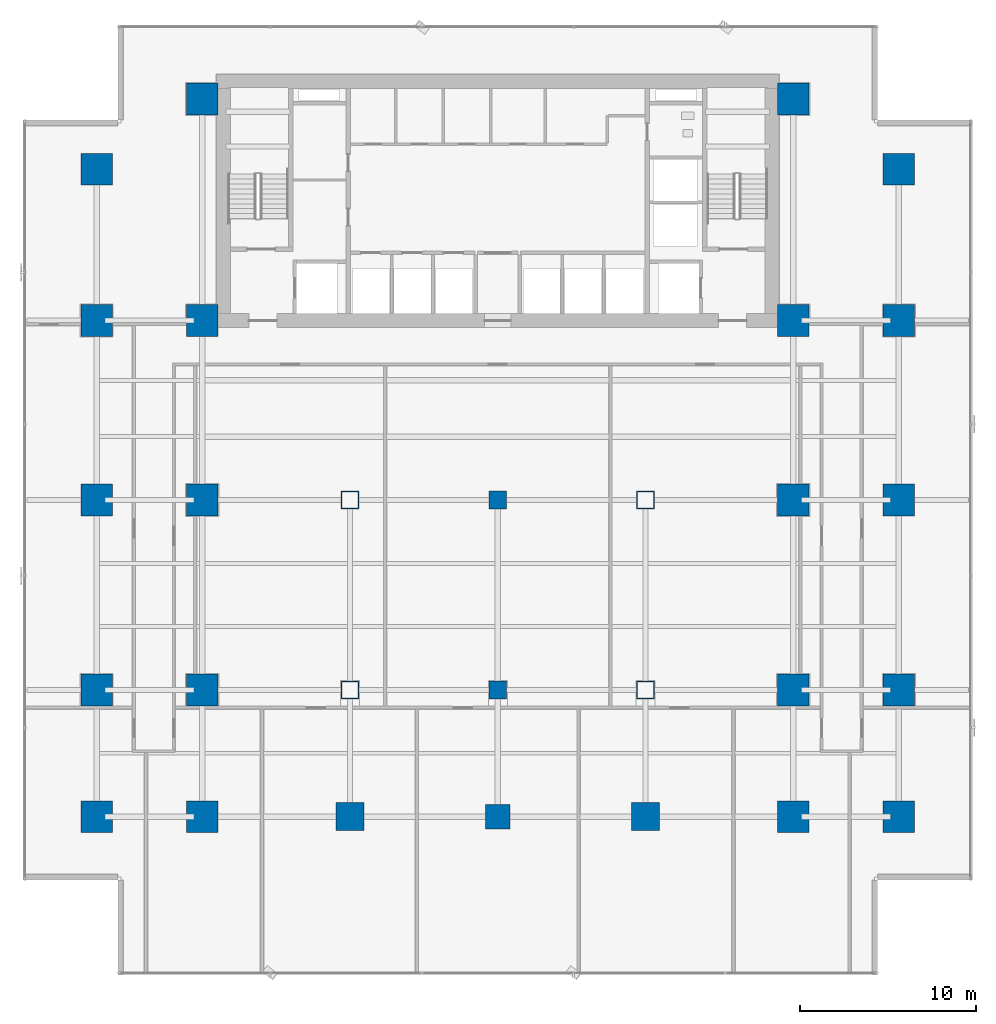
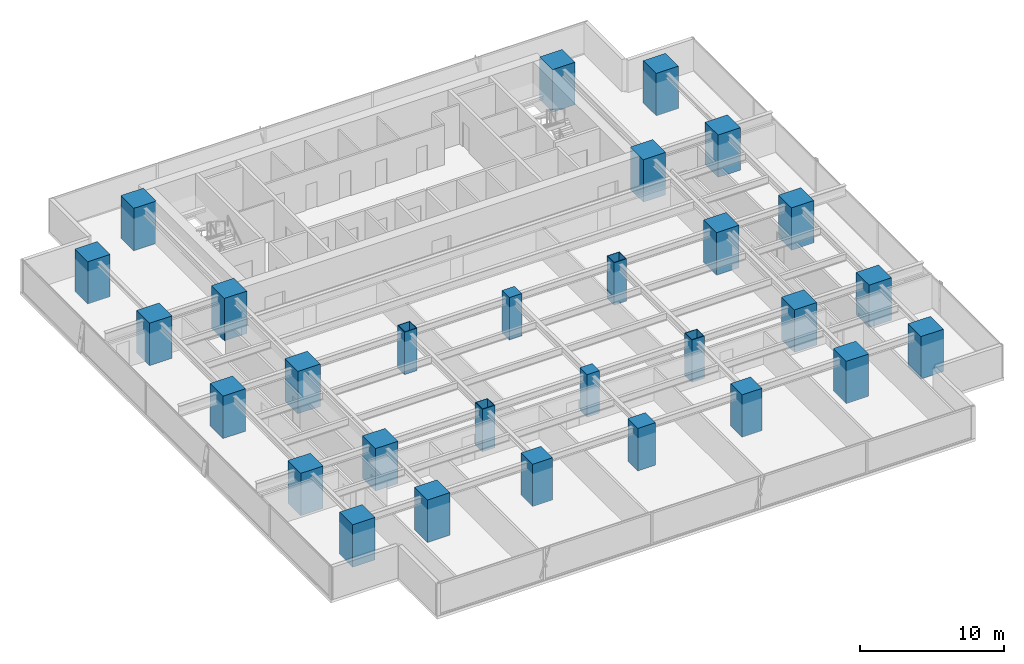
# One storey, part 1 of 33: 29 columns.
"""IFC4 building model written with IfcOpenShell, lengths in metres."""

import ifcopenshell
import ifcopenshell.guid

model = None  # the IFC model being written
_history = None  # IfcOwnerHistory: only IFC2X3 demands one
_inside = {}  # id of a spatial element -> (the spatial element, [elements in it])
_under = {}  # id of a project, library or spatial element -> (it, [spatial elements below it])
_declared = {}  # id of a project -> (the project, [libraries it declares])
_typed = {}  # id of a type object -> (the type object, [elements of that type])
_made_of = {}  # id of a material, layer set ... -> (it, [elements and type objects made of it])


def new_model(schema):
    """Start an empty IFC model of exactly this schema.

    Asked for "IFC4X3", IfcOpenShell would pick the latest addendum, in which some entities
    have other attributes; the version numbers below select the first issue.
    IFC2X3 requires an IfcOwnerHistory on every rooted entity: one is made here for all.
    """
    global model, _history
    if schema == "IFC4X3":
        model = ifcopenshell.file(schema_version=(4, 3, 0, 0))
    else:
        model = ifcopenshell.file(schema=schema)
    _inside.clear()
    _under.clear()
    _declared.clear()
    _typed.clear()
    _made_of.clear()
    _history = None
    if model.schema == "IFC2X3":
        org = make("IfcOrganization", Name="unknown")
        user = make(
            "IfcPersonAndOrganization",
            ThePerson=make("IfcPerson", FamilyName="unknown"),
            TheOrganization=org,
        )
        app = make(
            "IfcApplication",
            ApplicationDeveloper=org,
            Version="unknown",
            ApplicationFullName="unknown",
            ApplicationIdentifier="unknown",
        )
        _history = make(
            "IfcOwnerHistory",
            OwningUser=user,
            OwningApplication=app,
            ChangeAction="ADDED",
            CreationDate=0,
        )
    return model


def make(cls, **values):
    """One entity of the class cls with the attributes given. An attribute that is None is left unset."""
    return model.create_entity(
        cls, **{name: value for name, value in values.items() if value is not None}
    )


def rooted(cls, **values):
    """An entity with a GlobalId (a new one), such as an element, a storey or a relation."""
    return make(cls, GlobalId=ifcopenshell.guid.new(), OwnerHistory=_history, **values)


def si_unit(unit_type, name, prefix=None):
    """IfcSIUnit, for example si_unit("LENGTHUNIT", "METRE", prefix="MILLI")."""
    return make("IfcSIUnit", UnitType=unit_type, Prefix=prefix, Name=name)


def assignment(units):
    """IfcUnitAssignment: the units of a project."""
    return None if units is None else make("IfcUnitAssignment", Units=units)


def point(xyz):
    """IfcCartesianPoint."""
    return None if xyz is None else make("IfcCartesianPoint", Coordinates=xyz)


def direction(xyz):
    """IfcDirection."""
    return None if xyz is None else make("IfcDirection", DirectionRatios=xyz)


def frame(location, z_axis=None, x_axis=None):
    """IfcAxis2Placement3D, a coordinate frame: its origin and axes. An axis left out is left unset."""
    return make(
        "IfcAxis2Placement3D",
        Location=point(location),
        Axis=direction(z_axis),
        RefDirection=direction(x_axis),
    )


def frame_2d(location, x_axis=None):
    """IfcAxis2Placement2D, a coordinate frame in the plane: its origin and x axis."""
    return make(
        "IfcAxis2Placement2D", Location=point(location), RefDirection=direction(x_axis)
    )


def origin():
    """The frame at (0, 0, 0) with its axes left unset."""
    return frame((0.0, 0.0, 0.0))


def origin_2d():
    """The frame at (0, 0) in the plane with its x axis left unset."""
    return frame_2d((0.0, 0.0))


def place(relative_to, where):
    """IfcLocalPlacement: puts the frame where relative to a parent placement (None: the world)."""
    return make(
        "IfcLocalPlacement", PlacementRelTo=relative_to, RelativePlacement=where
    )


def context(
    kind, dimensions, precision=None, world=None, true_north=None, identifier=None
):
    """IfcGeometricRepresentationContext, for example the 3D "Model" context."""
    return make(
        "IfcGeometricRepresentationContext",
        ContextIdentifier=identifier,
        ContextType=kind,
        CoordinateSpaceDimension=dimensions,
        Precision=precision,
        WorldCoordinateSystem=world,
        TrueNorth=true_north,
    )


def subcontext(parent, identifier, kind, view, scale=None):
    """IfcGeometricRepresentationSubContext, for example "Body" below "Model"."""
    return make(
        "IfcGeometricRepresentationSubContext",
        ContextIdentifier=identifier,
        ContextType=kind,
        ParentContext=parent,
        TargetScale=scale,
        TargetView=view,
    )


def project(units=None, contexts=None):
    """IfcProject with its units and contexts."""
    return rooted(
        "IfcProject",
        Name="project",
        RepresentationContexts=contexts,
        UnitsInContext=assignment(units),
    )


def spatial(cls, under=None, at=None, **own):
    """A site, building, storey or space (cls), placed at a placement, below another one or the project."""
    s = rooted(cls, ObjectPlacement=at, **own)
    if under is not None:
        _under.setdefault(under.id(), (under, []))[1].append(s)
    return s


def profile(cls, at=None, kind="AREA", **sizes):
    """A parametric profile (cls). Its sizes go by their IFC names, for example OverallWidth=200.0."""
    return make(cls, ProfileType=kind, Position=at, **sizes)


def rectangle(**sizes):
    """IfcRectangleProfileDef."""
    return profile("IfcRectangleProfileDef", **sizes)


def hollow_rectangle(**sizes):
    """IfcRectangleHollowProfileDef."""
    return profile("IfcRectangleHollowProfileDef", **sizes)


def extrude(swept, where, along, depth):
    """IfcExtrudedAreaSolid: the profile swept, set in the frame where, extruded along a direction by depth."""
    return make(
        "IfcExtrudedAreaSolid",
        SweptArea=swept,
        Position=where,
        ExtrudedDirection=direction(along),
        Depth=depth,
    )


def shape(context_of_items, identifier, shape_type, items):
    """IfcShapeRepresentation: the items that make up one representation, for example the "Body"."""
    return make(
        "IfcShapeRepresentation",
        ContextOfItems=context_of_items,
        RepresentationIdentifier=identifier,
        RepresentationType=shape_type,
        Items=items,
    )


def source(mapping_origin, context_of_items, identifier, shape_type, items):
    """IfcRepresentationMap: a shape defined once, which mapped items show again and again."""
    return make(
        "IfcRepresentationMap",
        MappingOrigin=mapping_origin,
        MappedRepresentation=shape(context_of_items, identifier, shape_type, items),
    )


def transform(
    local_origin,
    x_axis=None,
    y_axis=None,
    z_axis=None,
    scale=None,
    scale2=None,
    scale3=None,
    uniform=True,
):
    """IfcCartesianTransformationOperator3D, or its non-uniform kind. x_axis, y_axis, z_axis: its Axis1, 2, 3."""
    if uniform:
        return make(
            "IfcCartesianTransformationOperator3D",
            Axis1=direction(x_axis),
            Axis2=direction(y_axis),
            LocalOrigin=point(local_origin),
            Scale=scale,
            Axis3=direction(z_axis),
        )
    return make(
        "IfcCartesianTransformationOperator3DnonUniform",
        Axis1=direction(x_axis),
        Axis2=direction(y_axis),
        LocalOrigin=point(local_origin),
        Scale=scale,
        Axis3=direction(z_axis),
        Scale2=scale2,
        Scale3=scale3,
    )


def mapped(mapping_source, mapping_target):
    """IfcMappedItem: shows the shape of a source again, moved by a transform."""
    return make(
        "IfcMappedItem", MappingSource=mapping_source, MappingTarget=mapping_target
    )


def material(Name=None, Category=None):
    """IfcMaterial."""
    return make("IfcMaterial", Name=Name, Category=Category)


def material_profile(
    of_material, cross_section, Name=None, Category=None, Priority=None
):
    """IfcMaterialProfile: a cross section and its material."""
    return make(
        "IfcMaterialProfile",
        Name=Name,
        Material=of_material,
        Profile=cross_section,
        Priority=Priority,
        Category=Category,
    )


def profile_set(profiles, Name=None, composite=None):
    """IfcMaterialProfileSet."""
    return make(
        "IfcMaterialProfileSet",
        Name=Name,
        MaterialProfiles=profiles,
        CompositeProfile=composite,
    )


def made_of(thing, what):
    """Note that an element or type object is made of a material, layer set ...; save() writes the relation."""
    if what is not None:
        _made_of.setdefault(what.id(), (what, []))[1].append(thing)
    return thing


def type_object(cls, material=None, **own):
    """A type object (cls), such as IfcWallType, which elements share."""
    return made_of(rooted(cls, **own), material)


def element(
    cls,
    number,
    at=None,
    inside=None,
    cuts=None,
    type_object=None,
    material=None,
    context=None,
    identifier="Body",
    shape_type=None,
    held_by="IfcProductDefinitionShape",
    body=None,
    shapes=None,
    **own,
):
    """One element of the class cls, such as IfcWall. Its Tag is "e" and its number.

    at: its placement. inside: the storey or other place that contains it. cuts: it is an
    opening in that element (IfcRelVoidsElement). A single representation is given by context,
    identifier, shape_type and body (its items); several are given by shapes. held_by: the class
    of the entity that holds the representations. save() writes the other relations.
    """
    e = rooted(cls, Tag="e%d" % number, ObjectPlacement=at, **own)
    if body is not None:
        shapes = [shape(context, identifier, shape_type, body)]
    if shapes is not None:
        e.Representation = make(held_by, Representations=shapes)
    if inside is not None:
        _inside.setdefault(inside.id(), (inside, []))[1].append(e)
    if cuts is not None:
        rooted(
            "IfcRelVoidsElement", RelatingBuildingElement=cuts, RelatedOpeningElement=e
        )
    if type_object is not None:
        _typed.setdefault(type_object.id(), (type_object, []))[1].append(e)
    return made_of(e, material)


def aggregate(whole, parts):
    """IfcRelAggregates: a whole, such as a stair, and the parts it consists of."""
    return rooted("IfcRelAggregates", RelatingObject=whole, RelatedObjects=parts)


def save(model, path):
    """Write the relations noted so far, then the file.

    IfcRelAggregates (storeys below a building ...), IfcRelContainedInSpatialStructure (elements
    in a storey), IfcRelDefinesByType, IfcRelAssociatesMaterial and IfcRelDeclares: one each for
    every whole, place, type object, material and project.
    """
    for whole, parts in _under.values():
        aggregate(whole, parts)
    for where, things in _inside.values():
        rooted(
            "IfcRelContainedInSpatialStructure",
            RelatedElements=things,
            RelatingStructure=where,
        )
    for kind, things in _typed.values():
        rooted("IfcRelDefinesByType", RelatedObjects=things, RelatingType=kind)
    for what, things in _made_of.values():
        rooted("IfcRelAssociatesMaterial", RelatedObjects=things, RelatingMaterial=what)
    for by, libraries in _declared.values():
        rooted("IfcRelDeclares", RelatingContext=by, RelatedDefinitions=libraries)
    model.write(path)


model = new_model("IFC4")

# Units and contexts
model_context = context("Model", 3, precision=1e-05, world=origin(), true_north=direction((0.0, 1.0)))
body_context = subcontext(model_context, "Body", "Model", "MODEL_VIEW")
ifc_project = project(units=[si_unit("LENGTHUNIT", "METRE"), si_unit("AREAUNIT", "SQUARE_METRE"), si_unit("VOLUMEUNIT", "CUBIC_METRE"), si_unit("PLANEANGLEUNIT", "RADIAN"), si_unit("MASSUNIT", "GRAM", prefix="KILO")], contexts=[model_context])

# Site, building, storey
site_placement = place(None, origin())
site = spatial("IfcSite", under=ifc_project, at=site_placement, CompositionType="ELEMENT")
building_placement = place(site_placement, origin())
building = spatial("IfcBuilding", under=site, at=building_placement, Name="Sumidabori Civic Tower", CompositionType="ELEMENT")
storey_placement = place(building_placement, frame((0.0, 0.0, 59.60009765625)))
storey = spatial("IfcBuildingStorey", under=building, at=storey_placement, Name="L15", CompositionType="ELEMENT", Elevation=59.60009765625)

# Columns
ifc_material_1 = material(Name="Concrete C60/75", Category="concrete")
ifc_material_profile_1 = material_profile(ifc_material_1, rectangle(XDim=1.800048828125, YDim=1.800048828125, at=origin_2d()), Name="RC 1800x1800")
ifc_profile_set_1 = profile_set([ifc_material_profile_1], Name="Concrete C60/75")
column_type_1 = type_object("IfcColumnType", Name="CL-MEGA-1800", PredefinedType="COLUMN", material=ifc_profile_set_1)
shared_shape_1 = source(origin(), body_context, "Body", "SweptSolid", [
    extrude(rectangle(XDim=1.800048828125, YDim=1.800048828125, at=origin_2d()), origin(), (0.0, 0.0, 1.0), 3.599853515625),
])
for number, where, z_axis, x_axis, name in (
    (1, (-16.800048828125, -18.0, 0.0), (0.0, 0.0, 1.0), (1.0, 0.0, 0.0), "Column MC-W16-Y18S L15"),
    (2, (-16.800048828125, -10.800048828125, 0.0), (0.0, 0.0, 1.0), (1.0, 0.0, 0.0), "Column MC-W16-Y11S L15"),
    (3, (-16.800048828125, 0.0, 0.0), (0.0, 0.0, 1.0), (1.0, 0.0, 0.0), "Column MC-W16-Y00 L15"),
    (4, (-16.800048828125, 10.199951171875, 0.0), (0.0, 0.0, 1.0), (1.0, 0.0, 0.0), "Column MC-W16-Y10N L15"),
    (5, (-16.800048828125, 22.800048828125, 0.0), (0.0, 0.0, 1.0), (1.0, 0.0, 0.0), "Column MC-W16-Y23N L15"),
    (6, (16.800048828125, -18.0, 0.0), (0.0, 0.0, 1.0), (1.0, 0.0, 0.0), "Column MC-E16-Y18S L15"),
    (7, (16.800048828125, -10.800048828125, 0.0), (0.0, 0.0, 1.0), (1.0, 0.0, 0.0), "Column MC-E16-Y11S L15"),
    (8, (16.800048828125, 0.0, 0.0), (0.0, 0.0, 1.0), (1.0, 0.0, 0.0), "Column MC-E16-Y00 L15"),
    (9, (16.800048828125, 10.199951171875, 0.0), (0.0, 0.0, 1.0), (1.0, 0.0, 0.0), "Column MC-E16-Y10N L15"),
    (10, (16.800048828125, 22.800048828125, 0.0), (0.0, 0.0, 1.0), (1.0, 0.0, 0.0), "Column MC-E16-Y23N L15"),
    (11, (-22.800048828125, -18.0, 0.0), (0.0, 0.0, 1.0), (1.0, 0.0, 0.0), "Column MC-W23-Y18S L15"),
    (12, (-22.800048828125, -10.800048828125, 0.0), (0.0, 0.0, 1.0), (1.0, 0.0, 0.0), "Column MC-W23-Y11S L15"),
    (13, (-22.800048828125, 0.0, 0.0), (0.0, 0.0, 1.0), (1.0, 0.0, 0.0), "Column MC-W23-Y00 L15"),
    (14, (-22.800048828125, 10.199951171875, 0.0), (0.0, 0.0, 1.0), (1.0, 0.0, 0.0), "Column MC-W23-Y10N L15"),
    (15, (-22.800048828125, 18.800048828125, 0.0), (0.0, 0.0, 1.0), (1.0, 0.0, 0.0), "Column MC-W23-Y19N L15"),
    (16, (22.800048828125, -18.0, 0.0), (0.0, 0.0, 1.0), (1.0, 0.0, 0.0), "Column MC-E23-Y18S L15"),
    (17, (22.800048828125, -10.800048828125, 0.0), (0.0, 0.0, 1.0), (1.0, 0.0, 0.0), "Column MC-E23-Y11S L15"),
    (18, (22.800048828125, 0.0, 0.0), (0.0, 0.0, 1.0), (1.0, 0.0, 0.0), "Column MC-E23-Y00 L15"),
    (19, (22.800048828125, 10.199951171875, 0.0), (0.0, 0.0, 1.0), (1.0, 0.0, 0.0), "Column MC-E23-Y10N L15"),
    (20, (22.800048828125, 18.800048828125, 0.0), (0.0, 0.0, 1.0), (1.0, 0.0, 0.0), "Column MC-E23-Y19N L15"),
):
    element("IfcColumn", number, at=place(storey_placement, frame(where, z_axis=z_axis, x_axis=x_axis)), inside=storey, type_object=column_type_1, Name=name, PredefinedType="COLUMN", context=body_context, shape_type="MappedRepresentation", body=[
        mapped(shared_shape_1, transform((0.0, 0.0, 0.0), x_axis=(1.0, 0.0, 0.0), y_axis=(0.0, 1.0, 0.0), z_axis=(0.0, 0.0, 1.0), scale=1.0)),
    ])
ifc_material_profile_2 = material_profile(ifc_material_1, rectangle(XDim=1.60009765625, YDim=1.60009765625, at=origin_2d()), Name="RC 1600x1600")
ifc_profile_set_2 = profile_set([ifc_material_profile_2], Name="Concrete C60/75")
column_type_2 = type_object("IfcColumnType", Name="CL-MEGA-1600", PredefinedType="COLUMN", material=ifc_profile_set_2)
shared_shape_2 = source(origin(), body_context, "Body", "SweptSolid", [
    extrude(rectangle(XDim=1.60009765625, YDim=1.60009765625, at=origin_2d()), origin(), (0.0, 0.0, 1.0), 3.599853515625),
])
for number, where, z_axis, x_axis, name in (
    (21, (-8.39990234375, -18.0, 0.0), (0.0, 0.0, 1.0), (1.0, 0.0, 0.0), "Column MC-W08-Y18S L15"),
    (22, (8.39990234375, -18.0, 0.0), (0.0, 0.0, 1.0), (1.0, 0.0, 0.0), "Column MC-E08-Y18S L15"),
):
    element("IfcColumn", number, at=place(storey_placement, frame(where, z_axis=z_axis, x_axis=x_axis)), inside=storey, type_object=column_type_2, Name=name, PredefinedType="COLUMN", context=body_context, shape_type="MappedRepresentation", body=[
        mapped(shared_shape_2, transform((0.0, 0.0, 0.0), x_axis=(1.0, 0.0, 0.0), y_axis=(0.0, 1.0, 0.0), z_axis=(0.0, 0.0, 1.0), scale=1.0)),
    ])
ifc_material_2 = material(Name="Steel SM570", Category="steel")
ifc_material_profile_3 = material_profile(ifc_material_2, hollow_rectangle(XDim=1.0, YDim=1.0, WallThickness=0.044921875, at=origin_2d()), Name="SHS 1000x1000x45")
ifc_profile_set_3 = profile_set([ifc_material_profile_3], Name="Steel SM570")
column_type_3 = type_object("IfcColumnType", Name="CL-PORTAL-SHS1000", PredefinedType="COLUMN", material=ifc_profile_set_3)
shared_shape_3 = source(origin(), body_context, "Body", "SweptSolid", [
    extrude(hollow_rectangle(XDim=1.0, YDim=1.0, WallThickness=0.044921875, at=origin_2d()), origin(), (0.0, 0.0, 1.0), 3.599853515625),
])
for number, where, z_axis, x_axis, name in (
    (23, (-8.39990234375, 0.0, 0.0), (0.0, 0.0, 1.0), (1.0, 0.0, 0.0), "Column MC-W08-Y00 L15"),
    (24, (-8.39990234375, -10.800048828125, 0.0), (0.0, 0.0, 1.0), (1.0, 0.0, 0.0), "Column MC-W08-Y11S L15"),
    (25, (8.39990234375, 0.0, 0.0), (0.0, 0.0, 1.0), (1.0, 0.0, 0.0), "Column MC-E08-Y00 L15"),
    (26, (8.39990234375, -10.800048828125, 0.0), (0.0, 0.0, 1.0), (1.0, 0.0, 0.0), "Column MC-E08-Y11S L15"),
):
    element("IfcColumn", number, at=place(storey_placement, frame(where, z_axis=z_axis, x_axis=x_axis)), inside=storey, type_object=column_type_3, Name=name, PredefinedType="COLUMN", context=body_context, shape_type="MappedRepresentation", body=[
        mapped(shared_shape_3, transform((0.0, 0.0, 0.0), x_axis=(1.0, 0.0, 0.0), y_axis=(0.0, 1.0, 0.0), z_axis=(0.0, 0.0, 1.0), scale=1.0)),
    ])
ifc_material_profile_4 = material_profile(ifc_material_1, rectangle(XDim=1.39990234375, YDim=1.39990234375, at=origin_2d()), Name="RC 1400x1400")
ifc_profile_set_4 = profile_set([ifc_material_profile_4], Name="Concrete C60/75")
column_type_4 = type_object("IfcColumnType", Name="CL-MEGA-1400", PredefinedType="COLUMN", material=ifc_profile_set_4)
shared_shape_4 = source(origin(), body_context, "Body", "SweptSolid", [
    extrude(rectangle(XDim=1.39990234375, YDim=1.39990234375, at=origin_2d()), origin(), (0.0, 0.0, 1.0), 3.599853515625),
])
column_placement = place(storey_placement, frame((0.0, -18.0, 0.0), z_axis=(0.0, 0.0, 1.0), x_axis=(1.0, 0.0, 0.0)))
element("IfcColumn", 27, at=column_placement, inside=storey, type_object=column_type_4, Name="Column MC-C00-Y18S L15", PredefinedType="COLUMN", context=body_context, shape_type="MappedRepresentation", body=[
    mapped(shared_shape_4, transform((0.0, 0.0, 0.0), x_axis=(1.0, 0.0, 0.0), y_axis=(0.0, 1.0, 0.0), z_axis=(0.0, 0.0, 1.0), scale=1.0)),
])
ifc_material_3 = material(Name="Concrete C50/60", Category="concrete")
ifc_material_profile_5 = material_profile(ifc_material_3, rectangle(XDim=1.0, YDim=1.0, at=origin_2d()), Name="RC 1000x1000")
ifc_profile_set_5 = profile_set([ifc_material_profile_5], Name="Concrete C50/60")
column_type_5 = type_object("IfcColumnType", Name="CL-INT-1000", PredefinedType="COLUMN", material=ifc_profile_set_5)
shared_shape_5 = source(origin(), body_context, "Body", "SweptSolid", [
    extrude(rectangle(XDim=1.0, YDim=1.0, at=origin_2d()), origin(), (0.0, 0.0, 1.0), 3.599853515625),
])
for number, where, z_axis, x_axis, name in (
    (28, (0.0, -10.800048828125, 0.0), (0.0, 0.0, 1.0), (1.0, 0.0, 0.0), "Column MC-C00-Y11S L15"),
    (29, (0.0, 0.0, 0.0), (0.0, 0.0, 1.0), (1.0, 0.0, 0.0), "Column MC-C00-Y00 L15"),
):
    element("IfcColumn", number, at=place(storey_placement, frame(where, z_axis=z_axis, x_axis=x_axis)), inside=storey, type_object=column_type_5, Name=name, PredefinedType="COLUMN", context=body_context, shape_type="MappedRepresentation", body=[
        mapped(shared_shape_5, transform((0.0, 0.0, 0.0), x_axis=(1.0, 0.0, 0.0), y_axis=(0.0, 1.0, 0.0), z_axis=(0.0, 0.0, 1.0), scale=1.0)),
    ])

save(model, "model.ifc")
